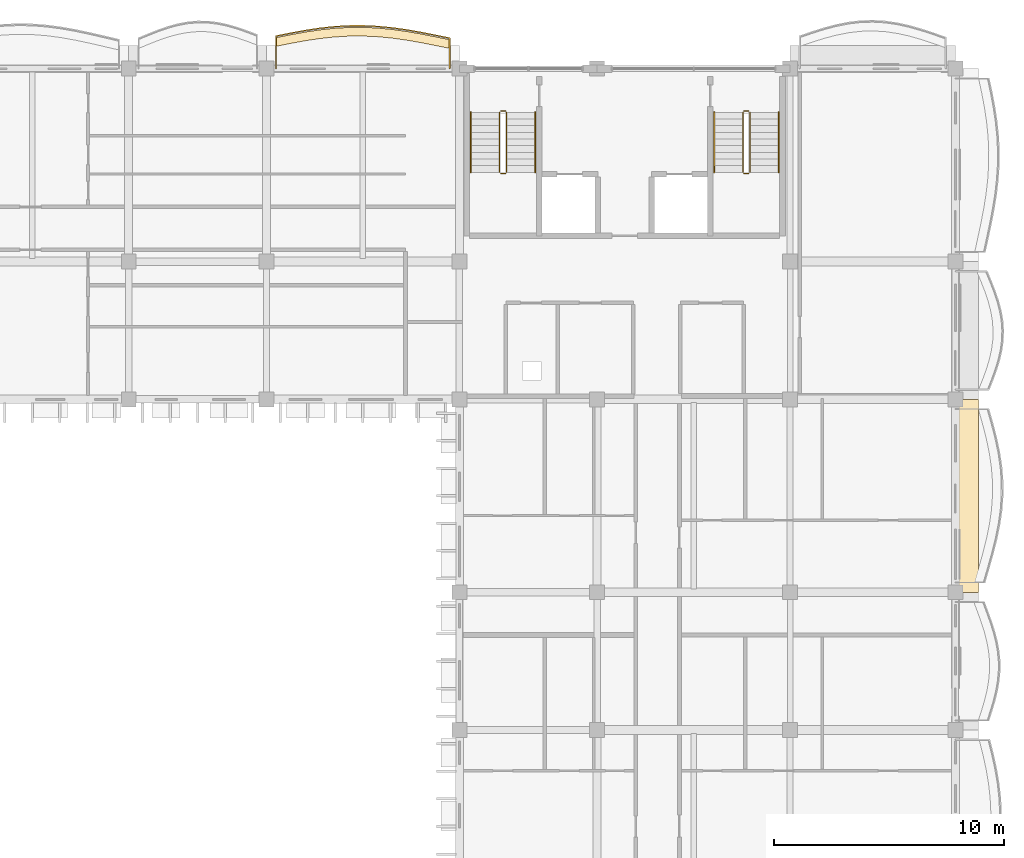
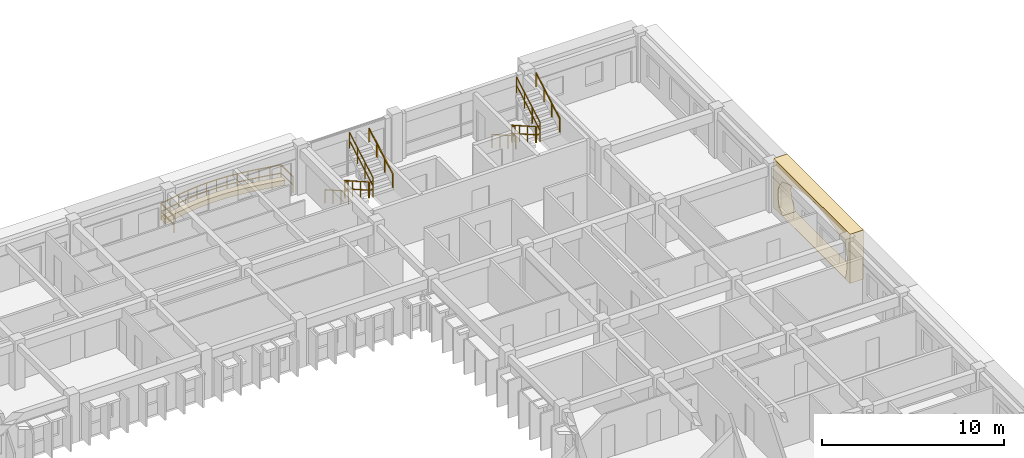
# One storey, part 68 of 70: 13 railings, 2 coverings.
"""IFC4 building model written with IfcOpenShell, lengths in metres."""

import ifcopenshell
import ifcopenshell.guid

model = None  # the IFC model being written
_history = None  # IfcOwnerHistory: only IFC2X3 demands one
_inside = {}  # id of a spatial element -> (the spatial element, [elements in it])
_under = {}  # id of a project, library or spatial element -> (it, [spatial elements below it])
_declared = {}  # id of a project -> (the project, [libraries it declares])
_typed = {}  # id of a type object -> (the type object, [elements of that type])
_made_of = {}  # id of a material, layer set ... -> (it, [elements and type objects made of it])


def new_model(schema):
    """Start an empty IFC model of exactly this schema.

    Asked for "IFC4X3", IfcOpenShell would pick the latest addendum, in which some entities
    have other attributes; the version numbers below select the first issue.
    IFC2X3 requires an IfcOwnerHistory on every rooted entity: one is made here for all.
    """
    global model, _history
    if schema == "IFC4X3":
        model = ifcopenshell.file(schema_version=(4, 3, 0, 0))
    else:
        model = ifcopenshell.file(schema=schema)
    _inside.clear()
    _under.clear()
    _declared.clear()
    _typed.clear()
    _made_of.clear()
    _history = None
    if model.schema == "IFC2X3":
        org = make("IfcOrganization", Name="unknown")
        user = make(
            "IfcPersonAndOrganization",
            ThePerson=make("IfcPerson", FamilyName="unknown"),
            TheOrganization=org,
        )
        app = make(
            "IfcApplication",
            ApplicationDeveloper=org,
            Version="unknown",
            ApplicationFullName="unknown",
            ApplicationIdentifier="unknown",
        )
        _history = make(
            "IfcOwnerHistory",
            OwningUser=user,
            OwningApplication=app,
            ChangeAction="ADDED",
            CreationDate=0,
        )
    return model


def make(cls, **values):
    """One entity of the class cls with the attributes given. An attribute that is None is left unset."""
    return model.create_entity(
        cls, **{name: value for name, value in values.items() if value is not None}
    )


def rooted(cls, **values):
    """An entity with a GlobalId (a new one), such as an element, a storey or a relation."""
    return make(cls, GlobalId=ifcopenshell.guid.new(), OwnerHistory=_history, **values)


def si_unit(unit_type, name, prefix=None):
    """IfcSIUnit, for example si_unit("LENGTHUNIT", "METRE", prefix="MILLI")."""
    return make("IfcSIUnit", UnitType=unit_type, Prefix=prefix, Name=name)


def assignment(units):
    """IfcUnitAssignment: the units of a project."""
    return None if units is None else make("IfcUnitAssignment", Units=units)


def point(xyz):
    """IfcCartesianPoint."""
    return None if xyz is None else make("IfcCartesianPoint", Coordinates=xyz)


def direction(xyz):
    """IfcDirection."""
    return None if xyz is None else make("IfcDirection", DirectionRatios=xyz)


def frame(location, z_axis=None, x_axis=None):
    """IfcAxis2Placement3D, a coordinate frame: its origin and axes. An axis left out is left unset."""
    return make(
        "IfcAxis2Placement3D",
        Location=point(location),
        Axis=direction(z_axis),
        RefDirection=direction(x_axis),
    )


def frame_2d(location, x_axis=None):
    """IfcAxis2Placement2D, a coordinate frame in the plane: its origin and x axis."""
    return make(
        "IfcAxis2Placement2D", Location=point(location), RefDirection=direction(x_axis)
    )


def origin():
    """The frame at (0, 0, 0) with its axes left unset."""
    return frame((0.0, 0.0, 0.0))


def origin_2d():
    """The frame at (0, 0) in the plane with its x axis left unset."""
    return frame_2d((0.0, 0.0))


def place(relative_to, where):
    """IfcLocalPlacement: puts the frame where relative to a parent placement (None: the world)."""
    return make(
        "IfcLocalPlacement", PlacementRelTo=relative_to, RelativePlacement=where
    )


def context(
    kind, dimensions, precision=None, world=None, true_north=None, identifier=None
):
    """IfcGeometricRepresentationContext, for example the 3D "Model" context."""
    return make(
        "IfcGeometricRepresentationContext",
        ContextIdentifier=identifier,
        ContextType=kind,
        CoordinateSpaceDimension=dimensions,
        Precision=precision,
        WorldCoordinateSystem=world,
        TrueNorth=true_north,
    )


def subcontext(parent, identifier, kind, view, scale=None):
    """IfcGeometricRepresentationSubContext, for example "Body" below "Model"."""
    return make(
        "IfcGeometricRepresentationSubContext",
        ContextIdentifier=identifier,
        ContextType=kind,
        ParentContext=parent,
        TargetScale=scale,
        TargetView=view,
    )


def project(units=None, contexts=None):
    """IfcProject with its units and contexts."""
    return rooted(
        "IfcProject",
        Name="project",
        RepresentationContexts=contexts,
        UnitsInContext=assignment(units),
    )


def spatial(cls, under=None, at=None, **own):
    """A site, building, storey or space (cls), placed at a placement, below another one or the project."""
    s = rooted(cls, ObjectPlacement=at, **own)
    if under is not None:
        _under.setdefault(under.id(), (under, []))[1].append(s)
    return s


def polyline(points):
    """IfcPolyline through the points."""
    return make("IfcPolyline", Points=[point(p) for p in points])


def profile(cls, at=None, kind="AREA", **sizes):
    """A parametric profile (cls). Its sizes go by their IFC names, for example OverallWidth=200.0."""
    return make(cls, ProfileType=kind, Position=at, **sizes)


def rectangle(**sizes):
    """IfcRectangleProfileDef."""
    return profile("IfcRectangleProfileDef", **sizes)


def outline(outer, holes=None, kind="AREA"):
    """IfcArbitraryClosedProfileDef: a profile drawn as a closed curve; with holes, ...WithVoids."""
    if holes is None:
        return make("IfcArbitraryClosedProfileDef", ProfileType=kind, OuterCurve=outer)
    return make(
        "IfcArbitraryProfileDefWithVoids",
        ProfileType=kind,
        OuterCurve=outer,
        InnerCurves=holes,
    )


def extrude(swept, where, along, depth):
    """IfcExtrudedAreaSolid: the profile swept, set in the frame where, extruded along a direction by depth."""
    return make(
        "IfcExtrudedAreaSolid",
        SweptArea=swept,
        Position=where,
        ExtrudedDirection=direction(along),
        Depth=depth,
    )


def shape(context_of_items, identifier, shape_type, items):
    """IfcShapeRepresentation: the items that make up one representation, for example the "Body"."""
    return make(
        "IfcShapeRepresentation",
        ContextOfItems=context_of_items,
        RepresentationIdentifier=identifier,
        RepresentationType=shape_type,
        Items=items,
    )


def material(Name=None, Category=None):
    """IfcMaterial."""
    return make("IfcMaterial", Name=Name, Category=Category)


def layer(
    of_material, thickness, ventilated=None, Name=None, Category=None, Priority=None
):
    """IfcMaterialLayer: one layer of a wall or slab, of a material (None: an air gap)."""
    return make(
        "IfcMaterialLayer",
        Material=of_material,
        LayerThickness=thickness,
        IsVentilated=ventilated,
        Name=Name,
        Category=Category,
        Priority=Priority,
    )


def layer_set(layers, Name=None):
    """IfcMaterialLayerSet."""
    return make("IfcMaterialLayerSet", MaterialLayers=layers, LayerSetName=Name)


def made_of(thing, what):
    """Note that an element or type object is made of a material, layer set ...; save() writes the relation."""
    if what is not None:
        _made_of.setdefault(what.id(), (what, []))[1].append(thing)
    return thing


def type_object(cls, material=None, **own):
    """A type object (cls), such as IfcWallType, which elements share."""
    return made_of(rooted(cls, **own), material)


def element(
    cls,
    number,
    at=None,
    inside=None,
    cuts=None,
    type_object=None,
    material=None,
    context=None,
    identifier="Body",
    shape_type=None,
    held_by="IfcProductDefinitionShape",
    body=None,
    shapes=None,
    **own,
):
    """One element of the class cls, such as IfcWall. Its Tag is "e" and its number.

    at: its placement. inside: the storey or other place that contains it. cuts: it is an
    opening in that element (IfcRelVoidsElement). A single representation is given by context,
    identifier, shape_type and body (its items); several are given by shapes. held_by: the class
    of the entity that holds the representations. save() writes the other relations.
    """
    e = rooted(cls, Tag="e%d" % number, ObjectPlacement=at, **own)
    if body is not None:
        shapes = [shape(context, identifier, shape_type, body)]
    if shapes is not None:
        e.Representation = make(held_by, Representations=shapes)
    if inside is not None:
        _inside.setdefault(inside.id(), (inside, []))[1].append(e)
    if cuts is not None:
        rooted(
            "IfcRelVoidsElement", RelatingBuildingElement=cuts, RelatedOpeningElement=e
        )
    if type_object is not None:
        _typed.setdefault(type_object.id(), (type_object, []))[1].append(e)
    return made_of(e, material)


def aggregate(whole, parts):
    """IfcRelAggregates: a whole, such as a stair, and the parts it consists of."""
    return rooted("IfcRelAggregates", RelatingObject=whole, RelatedObjects=parts)


def save(model, path):
    """Write the relations noted so far, then the file.

    IfcRelAggregates (storeys below a building ...), IfcRelContainedInSpatialStructure (elements
    in a storey), IfcRelDefinesByType, IfcRelAssociatesMaterial and IfcRelDeclares: one each for
    every whole, place, type object, material and project.
    """
    for whole, parts in _under.values():
        aggregate(whole, parts)
    for where, things in _inside.values():
        rooted(
            "IfcRelContainedInSpatialStructure",
            RelatedElements=things,
            RelatingStructure=where,
        )
    for kind, things in _typed.values():
        rooted("IfcRelDefinesByType", RelatedObjects=things, RelatingType=kind)
    for what, things in _made_of.values():
        rooted("IfcRelAssociatesMaterial", RelatedObjects=things, RelatingMaterial=what)
    for by, libraries in _declared.values():
        rooted("IfcRelDeclares", RelatingContext=by, RelatedDefinitions=libraries)
    model.write(path)


model = new_model("IFC4")

# Units and contexts
model_context = context("Model", 3, precision=1e-05, world=origin(), true_north=direction((0.0, 1.0)))
body_context = subcontext(model_context, "Body", "Model", "MODEL_VIEW")
ifc_project = project(units=[si_unit("LENGTHUNIT", "METRE"), si_unit("AREAUNIT", "SQUARE_METRE"), si_unit("VOLUMEUNIT", "CUBIC_METRE"), si_unit("PLANEANGLEUNIT", "RADIAN"), si_unit("MASSUNIT", "GRAM", prefix="KILO"), si_unit("THERMODYNAMICTEMPERATUREUNIT", "KELVIN")], contexts=[model_context])

# Site, building, storey
site_placement = place(None, origin())
site = spatial("IfcSite", under=ifc_project, at=site_placement, CompositionType="ELEMENT")
building_placement = place(site_placement, origin())
building = spatial("IfcBuilding", under=site, at=building_placement, Name="Thalorik Housing Commons", CompositionType="ELEMENT")
storey_placement = place(building_placement, frame((0.0, 0.0, 14.699951171875)))
storey = spatial("IfcBuildingStorey", under=building, at=storey_placement, Name="L04", CompositionType="ELEMENT", Elevation=14.699951171875)

# Coverings
ifc_material_1 = material(Name="Precast concrete C40/50", Category="concrete")
ifc_layer_1 = layer(ifc_material_1, 0.85009765625, Name="Precast concrete C40/50", Category="concrete")
ifc_layer_set_1 = layer_set([ifc_layer_1], Name="Precast concrete C40/50")
covering_type_1 = type_object("IfcCoveringType", Name="ARC-CLD-CUSH-850", PredefinedType="CLADDING", material=ifc_layer_set_1)
covering_1_placement = place(storey_placement, frame((174.577392578125, 105.0, 0.0), z_axis=(0.0, 0.0, 1.0), x_axis=(0.0, 1.0, 0.0)))
element("IfcCovering", 1, at=covering_1_placement, inside=storey, type_object=covering_type_1, Name="L04 White Precast Curved Cushion Bay Frame 2200", PredefinedType="CLADDING", context=body_context, shape_type="SweptSolid", body=[
    extrude(outline(polyline([(-4.199951171875, 0.0), (4.199951171875, 0.0), (4.199951171875, 3.300048828125), (-4.199951171875, 3.300048828125), (-4.199951171875, 0.0)]), holes=[polyline([(3.239990234375, 0.02490234375), (3.523193359375, 0.404296875), (3.693359375, 0.783203125), (3.75, 1.16259765625), (3.693359375, 1.541748046875), (3.523193359375, 1.9208984375), (3.239990234375, 2.300048828125), (2.663330078125, 2.525390625), (2.0869140625, 2.7021484375), (1.51025390625, 2.845458984375), (0.93359375, 2.951904296875), (0.357177734375, 3.017822265625), (-0.219482421875, 3.0400390625), (-0.796142578125, 3.017822265625), (-1.372802734375, 2.951904296875), (-1.94921875, 2.845458984375), (-2.52587890625, 2.7021484375), (-3.102294921875, 2.525390625), (-3.678955078125, 2.300048828125), (-3.7890625, 1.9208984375), (-3.85498046875, 1.541748046875), (-3.876953125, 1.16259765625), (-3.85498046875, 0.783203125), (-3.7890625, 0.404296875), (-3.678955078125, 0.02490234375), (3.239990234375, 0.02490234375)])]), frame((0.0, 0.425048828125, 0.0), z_axis=(0.0, -1.0, 0.0), x_axis=(1.0, 0.0, 0.0)), (0.0, 0.0, 1.0), 0.85009765625),
])
ifc_material_2 = material(Name="Planted vegetated substrate and terracotta trough", Category="masonry")
ifc_layer_2 = layer(ifc_material_2, 0.340087890625, Name="Planted vegetated substrate and terracotta trough", Category="masonry")
ifc_layer_set_2 = layer_set([ifc_layer_2], Name="Planted vegetated substrate and terracotta trough")
covering_type_2 = type_object("IfcCoveringType", Name="ARC-COV-PLANTER", PredefinedType="USERDEFINED", material=ifc_layer_set_2)
covering_2_placement = place(storey_placement, origin())
element("IfcCovering", 2, at=covering_2_placement, inside=storey, type_object=covering_type_2, Name="L04 Balcony Slab-Edge Planted Trough 5460", ObjectType="PLANTER", PredefinedType="USERDEFINED", context=body_context, shape_type="SweptSolid", body=[
    extrude(outline(polyline([(151.97998046875, 124.8623046875), (151.35009765625, 124.9912109375), (150.719970703125, 125.114501953125), (150.090087890625, 125.2236328125), (149.4599609375, 125.3115234375), (148.830078125, 125.3720703125), (148.199951171875, 125.401123046875), (147.570068359375, 125.396728515625), (146.93994140625, 125.359130859375), (146.31005859375, 125.29052734375), (145.679931640625, 125.19580078125), (145.050048828125, 125.08056640625), (144.419921875, 124.952880859375), (144.419921875, 124.572998046875), (145.050048828125, 124.70068359375), (145.679931640625, 124.815673828125), (146.31005859375, 124.91064453125), (146.93994140625, 124.97900390625), (147.570068359375, 125.0166015625), (148.199951171875, 125.02099609375), (148.830078125, 124.991943359375), (149.4599609375, 124.931396484375), (150.090087890625, 124.84375), (150.719970703125, 124.734619140625), (151.35009765625, 124.611328125), (151.97998046875, 124.482177734375), (151.97998046875, 124.8623046875)])), origin(), (0.0, 0.0, 1.0), 0.340087890625),
])

# Railings
ifc_material_3 = material(Name="Steel S355", Category="steel")
railing_type_1 = type_object("IfcRailingType", Name="ARC-RL-BAL-112", PredefinedType="BALUSTRADE", material=ifc_material_3)
railing_1_placement = place(storey_placement, frame((151.97998046875, 123.60009765625, 0.0)))
element("IfcRailing", 3, at=railing_1_placement, inside=storey, type_object=railing_type_1, Name="L04 Cushion Balcony Guardrail 144", PredefinedType="BALUSTRADE", context=body_context, shape_type="SweptSolid", body=[
    extrude(rectangle(XDim=0.050048828125, YDim=0.050048828125, at=origin_2d()), frame((0.0, 0.0, 1.09521484375), z_axis=(0.0, 1.0, 0.0), x_axis=(-1.0, 0.0, 0.0)), (0.0, 0.0, 1.0), 1.33203125),
    extrude(rectangle(XDim=0.050048828125, YDim=0.050048828125, at=origin_2d()), frame((0.0, 0.0, 0.53515625), z_axis=(0.0, 1.0, 0.0), x_axis=(-1.0, 0.0, 0.0)), (0.0, 0.0, 1.0), 1.33203125),
    extrude(rectangle(XDim=0.050048828125, YDim=0.050048828125, at=origin_2d()), frame((0.0, 1.33203125, 1.09521484375), z_axis=(-0.979619945128, 0.200860058517, 0.0), x_axis=(-0.200860058517, -0.979619945128, 0.0)), (0.0, 0.0, 1.0), 0.64306640625),
    extrude(rectangle(XDim=0.050048828125, YDim=0.050048828125, at=origin_2d()), frame((0.0, 1.33203125, 0.53515625), z_axis=(-0.979619945128, 0.200860058517, 0.0), x_axis=(-0.200860058517, -0.979619945128, 0.0)), (0.0, 0.0, 1.0), 0.64306640625),
    extrude(rectangle(XDim=0.050048828125, YDim=0.050048828125, at=origin_2d()), frame((-0.6298828125, 1.461181640625, 1.09521484375), z_axis=(-0.98139109719, 0.192019567641, 0.0), x_axis=(-0.192019567641, -0.98139109719, 0.0)), (0.0, 0.0, 1.0), 0.64208984375),
    extrude(rectangle(XDim=0.050048828125, YDim=0.050048828125, at=origin_2d()), frame((-0.6298828125, 1.461181640625, 0.53515625), z_axis=(-0.98139109719, 0.192019567641, 0.0), x_axis=(-0.192019567641, -0.98139109719, 0.0)), (0.0, 0.0, 1.0), 0.64208984375),
    extrude(rectangle(XDim=0.050048828125, YDim=0.050048828125, at=origin_2d()), frame((-1.260009765625, 1.58447265625, 1.09521484375), z_axis=(-0.985320870893, 0.170712569492, 0.0), x_axis=(-0.170712569492, -0.985320870893, 0.0)), (0.0, 0.0, 1.0), 0.63916015625),
    extrude(rectangle(XDim=0.050048828125, YDim=0.050048828125, at=origin_2d()), frame((-1.260009765625, 1.58447265625, 0.53515625), z_axis=(-0.985320870893, 0.170712569492, 0.0), x_axis=(-0.170712569492, -0.985320870893, 0.0)), (0.0, 0.0, 1.0), 0.63916015625),
    extrude(rectangle(XDim=0.050048828125, YDim=0.050048828125, at=origin_2d()), frame((-1.889892578125, 1.693603515625, 1.09521484375), z_axis=(-0.990412222541, 0.138143510312, 0.0), x_axis=(-0.138143510312, -0.990412222541, 0.0)), (0.0, 0.0, 1.0), 0.63623046875),
    extrude(rectangle(XDim=0.050048828125, YDim=0.050048828125, at=origin_2d()), frame((-1.889892578125, 1.693603515625, 0.53515625), z_axis=(-0.990412222541, 0.138143510312, 0.0), x_axis=(-0.138143510312, -0.990412222541, 0.0)), (0.0, 0.0, 1.0), 0.63623046875),
    extrude(rectangle(XDim=0.050048828125, YDim=0.050048828125, at=origin_2d()), frame((-2.52001953125, 1.781494140625, 1.09521484375), z_axis=(-0.995448531051, 0.095300692701, 0.0), x_axis=(-0.095300692701, -0.995448531051, 0.0)), (0.0, 0.0, 1.0), 0.6328125),
    extrude(rectangle(XDim=0.050048828125, YDim=0.050048828125, at=origin_2d()), frame((-2.52001953125, 1.781494140625, 0.53515625), z_axis=(-0.995448531051, 0.095300692701, 0.0), x_axis=(-0.095300692701, -0.995448531051, 0.0)), (0.0, 0.0, 1.0), 0.6328125),
    extrude(rectangle(XDim=0.050048828125, YDim=0.050048828125, at=origin_2d()), frame((-3.14990234375, 1.841796875, 1.09521484375), z_axis=(-0.99892092138, 0.046443436872, 0.0), x_axis=(-0.046443436872, -0.99892092138, 0.0)), (0.0, 0.0, 1.0), 0.630859375),
    extrude(rectangle(XDim=0.050048828125, YDim=0.050048828125, at=origin_2d()), frame((-3.14990234375, 1.841796875, 0.53515625), z_axis=(-0.99892092138, 0.046443436872, 0.0), x_axis=(-0.046443436872, -0.99892092138, 0.0)), (0.0, 0.0, 1.0), 0.630859375),
    extrude(rectangle(XDim=0.050048828125, YDim=0.050048828125, at=origin_2d()), frame((-3.780029296875, 1.87109375, 1.09521484375), z_axis=(-0.999975663409, -0.006976574396, 0.0), x_axis=(0.006976574396, -0.999975663409, 0.0)), (0.0, 0.0, 1.0), 0.6298828125),
    extrude(rectangle(XDim=0.050048828125, YDim=0.050048828125, at=origin_2d()), frame((-3.780029296875, 1.87109375, 0.53515625), z_axis=(-0.999975663409, -0.006976574396, 0.0), x_axis=(0.006976574396, -0.999975663409, 0.0)), (0.0, 0.0, 1.0), 0.6298828125),
    extrude(rectangle(XDim=0.050048828125, YDim=0.050048828125, at=origin_2d()), frame((-4.409912109375, 1.86669921875, 1.09521484375), z_axis=(-0.998224675619, -0.059560867898, 0.0), x_axis=(0.059560867898, -0.998224675619, 0.0)), (0.0, 0.0, 1.0), 0.63134765625),
    extrude(rectangle(XDim=0.050048828125, YDim=0.050048828125, at=origin_2d()), frame((-4.409912109375, 1.86669921875, 0.53515625), z_axis=(-0.998224675619, -0.059560867898, 0.0), x_axis=(0.059560867898, -0.998224675619, 0.0)), (0.0, 0.0, 1.0), 0.63134765625),
    extrude(rectangle(XDim=0.050048828125, YDim=0.050048828125, at=origin_2d()), frame((-5.0400390625, 1.8291015625, 1.09521484375), z_axis=(-0.994121043518, -0.108274423732, 0.0), x_axis=(0.108274423732, -0.994121043518, 0.0)), (0.0, 0.0, 1.0), 0.633544921875),
    extrude(rectangle(XDim=0.050048828125, YDim=0.050048828125, at=origin_2d()), frame((-5.0400390625, 1.8291015625, 0.53515625), z_axis=(-0.994121043518, -0.108274423732, 0.0), x_axis=(0.108274423732, -0.994121043518, 0.0)), (0.0, 0.0, 1.0), 0.633544921875),
    extrude(rectangle(XDim=0.050048828125, YDim=0.050048828125, at=origin_2d()), frame((-5.669921875, 1.760498046875, 1.09521484375), z_axis=(-0.988832133664, -0.149033591629, 0.0), x_axis=(0.149033591629, -0.988832133664, 0.0)), (0.0, 0.0, 1.0), 0.63720703125),
    extrude(rectangle(XDim=0.050048828125, YDim=0.050048828125, at=origin_2d()), frame((-5.669921875, 1.760498046875, 0.53515625), z_axis=(-0.988832133664, -0.149033591629, 0.0), x_axis=(0.149033591629, -0.988832133664, 0.0)), (0.0, 0.0, 1.0), 0.63720703125),
    extrude(rectangle(XDim=0.050048828125, YDim=0.050048828125, at=origin_2d()), frame((-6.300048828125, 1.66552734375, 1.09521484375), z_axis=(-0.983741542598, -0.1795900258, 0.0), x_axis=(0.1795900258, -0.983741542598, 0.0)), (0.0, 0.0, 1.0), 0.640380859375),
    extrude(rectangle(XDim=0.050048828125, YDim=0.050048828125, at=origin_2d()), frame((-6.300048828125, 1.66552734375, 0.53515625), z_axis=(-0.983741542598, -0.1795900258, 0.0), x_axis=(0.1795900258, -0.983741542598, 0.0)), (0.0, 0.0, 1.0), 0.640380859375),
    extrude(rectangle(XDim=0.050048828125, YDim=0.050048828125, at=origin_2d()), frame((-6.929931640625, 1.550537109375, 1.09521484375), z_axis=(-0.980080963484, -0.198598350989, 0.0), x_axis=(0.198598350989, -0.980080963484, 0.0)), (0.0, 0.0, 1.0), 0.642822265625),
    extrude(rectangle(XDim=0.050048828125, YDim=0.050048828125, at=origin_2d()), frame((-6.929931640625, 1.550537109375, 0.53515625), z_axis=(-0.980080963484, -0.198598350989, 0.0), x_axis=(0.198598350989, -0.980080963484, 0.0)), (0.0, 0.0, 1.0), 0.642822265625),
    extrude(rectangle(XDim=0.050048828125, YDim=0.050048828125, at=origin_2d()), frame((-7.56005859375, 1.4228515625, 1.09521484375), z_axis=(0.0, -1.0, 0.0), x_axis=(1.0, 0.0, 0.0)), (0.0, 0.0, 1.0), 1.4228515625),
    extrude(rectangle(XDim=0.050048828125, YDim=0.050048828125, at=origin_2d()), frame((-7.56005859375, 1.4228515625, 0.53515625), z_axis=(0.0, -1.0, 0.0), x_axis=(1.0, 0.0, 0.0)), (0.0, 0.0, 1.0), 1.4228515625),
    extrude(rectangle(XDim=0.0419921875, YDim=0.0419921875, at=origin_2d()), origin(), (0.0, 0.0, 1.0), 1.070068359375),
    extrude(rectangle(XDim=0.0419921875, YDim=0.0419921875, at=origin_2d()), frame((0.0, 1.33203125, 0.0)), (0.0, 0.0, 1.0), 1.070068359375),
    extrude(rectangle(XDim=0.0419921875, YDim=0.0419921875, at=origin_2d()), frame((-0.6298828125, 1.461181640625, 0.0)), (0.0, 0.0, 1.0), 1.070068359375),
    extrude(rectangle(XDim=0.0419921875, YDim=0.0419921875, at=origin_2d()), frame((-1.260009765625, 1.58447265625, 0.0)), (0.0, 0.0, 1.0), 1.070068359375),
    extrude(rectangle(XDim=0.0419921875, YDim=0.0419921875, at=origin_2d()), frame((-1.889892578125, 1.693603515625, 0.0)), (0.0, 0.0, 1.0), 1.070068359375),
    extrude(rectangle(XDim=0.0419921875, YDim=0.0419921875, at=origin_2d()), frame((-2.52001953125, 1.781494140625, 0.0)), (0.0, 0.0, 1.0), 1.070068359375),
    extrude(rectangle(XDim=0.0419921875, YDim=0.0419921875, at=origin_2d()), frame((-3.14990234375, 1.841796875, 0.0)), (0.0, 0.0, 1.0), 1.070068359375),
    extrude(rectangle(XDim=0.0419921875, YDim=0.0419921875, at=origin_2d()), frame((-3.780029296875, 1.87109375, 0.0)), (0.0, 0.0, 1.0), 1.070068359375),
    extrude(rectangle(XDim=0.0419921875, YDim=0.0419921875, at=origin_2d()), frame((-4.409912109375, 1.86669921875, 0.0)), (0.0, 0.0, 1.0), 1.070068359375),
    extrude(rectangle(XDim=0.0419921875, YDim=0.0419921875, at=origin_2d()), frame((-5.0400390625, 1.8291015625, 0.0)), (0.0, 0.0, 1.0), 1.070068359375),
    extrude(rectangle(XDim=0.0419921875, YDim=0.0419921875, at=origin_2d()), frame((-5.669921875, 1.760498046875, 0.0)), (0.0, 0.0, 1.0), 1.070068359375),
    extrude(rectangle(XDim=0.0419921875, YDim=0.0419921875, at=origin_2d()), frame((-6.300048828125, 1.66552734375, 0.0)), (0.0, 0.0, 1.0), 1.070068359375),
    extrude(rectangle(XDim=0.0419921875, YDim=0.0419921875, at=origin_2d()), frame((-6.929931640625, 1.550537109375, 0.0)), (0.0, 0.0, 1.0), 1.070068359375),
    extrude(rectangle(XDim=0.0419921875, YDim=0.0419921875, at=origin_2d()), frame((-7.56005859375, 1.4228515625, 0.0)), (0.0, 0.0, 1.0), 1.070068359375),
    extrude(rectangle(XDim=0.0419921875, YDim=0.0419921875, at=origin_2d()), frame((-7.56005859375, 0.0, 0.0)), (0.0, 0.0, 1.0), 1.070068359375),
])
railing_type_2 = type_object("IfcRailingType", Name="ARC-RL-STR-GRD110", PredefinedType="GUARDRAIL", material=ifc_material_3)
railing_2_placement = place(storey_placement, frame((154.14990234375, 121.699951171875, 0.1650390625)))
element("IfcRailing", 4, at=railing_2_placement, inside=storey, type_object=railing_type_2, Name="L04 ST-B1 stair guard 1", PredefinedType="GUARDRAIL", context=body_context, shape_type="SweptSolid", body=[
    extrude(rectangle(XDim=0.048095703125, YDim=0.048095703125, at=origin_2d()), frame((0.0, 0.0, 1.076171875), z_axis=(0.0, -0.869137319866, 0.494570843475), x_axis=(1.0, 0.0, 0.0)), (0.0, 0.0, 1.0), 3.0029296875),
    extrude(rectangle(XDim=0.048095703125, YDim=0.048095703125, at=origin_2d()), frame((0.0, 0.0, 0.52587890625), z_axis=(0.0, -0.869137319866, 0.494570843475), x_axis=(1.0, 0.0, 0.0)), (0.0, 0.0, 1.0), 3.0029296875),
    extrude(rectangle(XDim=0.0419921875, YDim=0.0419921875, at=origin_2d()), origin(), (0.0, 0.0, 1.0), 1.052001953125),
    extrude(rectangle(XDim=0.0419921875, YDim=0.0419921875, at=origin_2d()), frame((0.0, -0.869873046875, 0.4951171875)), (0.0, 0.0, 1.0), 1.052001953125),
    extrude(rectangle(XDim=0.0419921875, YDim=0.0419921875, at=origin_2d()), frame((0.0, -1.739990234375, 0.989990234375)), (0.0, 0.0, 1.0), 1.052001953125),
    extrude(rectangle(XDim=0.0419921875, YDim=0.0419921875, at=origin_2d()), frame((0.0, -2.60986328125, 1.485107421875)), (0.0, 0.0, 1.0), 1.052001953125),
])
railing_3_placement = place(storey_placement, frame((154.199951171875, 119.0400390625, 1.650146484375)))
element("IfcRailing", 5, at=railing_3_placement, inside=storey, type_object=railing_type_2, Name="L04 ST-B1 stair guard 2", PredefinedType="GUARDRAIL", context=body_context, shape_type="SweptSolid", body=[
    extrude(rectangle(XDim=0.048095703125, YDim=0.048095703125, at=origin_2d()), frame((0.0, 0.0, 1.076171875), z_axis=(1.0, 0.0, 0.0), x_axis=(0.0, 1.0, 0.0)), (0.0, 0.0, 1.0), 0.199951171875),
    extrude(rectangle(XDim=0.048095703125, YDim=0.048095703125, at=origin_2d()), frame((0.0, 0.0, 0.52587890625), z_axis=(1.0, 0.0, 0.0), x_axis=(0.0, 1.0, 0.0)), (0.0, 0.0, 1.0), 0.199951171875),
    extrude(rectangle(XDim=0.0419921875, YDim=0.0419921875, at=origin_2d()), origin(), (0.0, 0.0, 1.0), 1.052001953125),
    extrude(rectangle(XDim=0.0419921875, YDim=0.0419921875, at=origin_2d()), frame((0.199951171875, 0.0, 0.0)), (0.0, 0.0, 1.0), 1.052001953125),
])
railing_4_placement = place(storey_placement, frame((154.449951171875, 119.090087890625, 1.81494140625)))
element("IfcRailing", 6, at=railing_4_placement, inside=storey, type_object=railing_type_2, Name="L04 ST-B1 stair guard 3", PredefinedType="GUARDRAIL", context=body_context, shape_type="SweptSolid", body=[
    extrude(rectangle(XDim=0.048095703125, YDim=0.048095703125, at=origin_2d()), frame((0.0, 0.0, 1.076171875), z_axis=(0.0, 0.869137319866, 0.494570843475), x_axis=(-1.0, 0.0, 0.0)), (0.0, 0.0, 1.0), 3.0029296875),
    extrude(rectangle(XDim=0.048095703125, YDim=0.048095703125, at=origin_2d()), frame((0.0, 0.0, 0.52587890625), z_axis=(0.0, 0.869137319866, 0.494570843475), x_axis=(-1.0, 0.0, 0.0)), (0.0, 0.0, 1.0), 3.0029296875),
    extrude(rectangle(XDim=0.0419921875, YDim=0.0419921875, at=origin_2d()), origin(), (0.0, 0.0, 1.0), 1.052001953125),
    extrude(rectangle(XDim=0.0419921875, YDim=0.0419921875, at=origin_2d()), frame((0.0, 0.869873046875, 0.4951171875)), (0.0, 0.0, 1.0), 1.052001953125),
    extrude(rectangle(XDim=0.0419921875, YDim=0.0419921875, at=origin_2d()), frame((0.0, 1.739990234375, 0.989990234375)), (0.0, 0.0, 1.0), 1.052001953125),
    extrude(rectangle(XDim=0.0419921875, YDim=0.0419921875, at=origin_2d()), frame((0.0, 2.60986328125, 1.485107421875)), (0.0, 0.0, 1.0), 1.052001953125),
])
railing_5_placement = place(storey_placement, frame((154.199951171875, 121.75, 0.0)))
element("IfcRailing", 7, at=railing_5_placement, inside=storey, type_object=railing_type_2, Name="L04 ST-B1 stair guard 4", PredefinedType="GUARDRAIL", context=body_context, shape_type="SweptSolid", body=[
    extrude(rectangle(XDim=0.048095703125, YDim=0.048095703125, at=origin_2d()), frame((0.0, 0.0, 1.076171875), z_axis=(1.0, 0.0, 0.0), x_axis=(0.0, 1.0, 0.0)), (0.0, 0.0, 1.0), 0.199951171875),
    extrude(rectangle(XDim=0.048095703125, YDim=0.048095703125, at=origin_2d()), frame((0.0, 0.0, 0.52587890625), z_axis=(1.0, 0.0, 0.0), x_axis=(0.0, 1.0, 0.0)), (0.0, 0.0, 1.0), 0.199951171875),
    extrude(rectangle(XDim=0.0419921875, YDim=0.0419921875, at=origin_2d()), origin(), (0.0, 0.0, 1.0), 1.052001953125),
    extrude(rectangle(XDim=0.0419921875, YDim=0.0419921875, at=origin_2d()), frame((0.199951171875, 0.0, 0.0)), (0.0, 0.0, 1.0), 1.052001953125),
])
railing_6_placement = place(storey_placement, frame((164.75, 121.699951171875, 0.1650390625)))
element("IfcRailing", 8, at=railing_6_placement, inside=storey, type_object=railing_type_2, Name="L04 ST-B2 stair guard 1", PredefinedType="GUARDRAIL", context=body_context, shape_type="SweptSolid", body=[
    extrude(rectangle(XDim=0.048095703125, YDim=0.048095703125, at=origin_2d()), frame((0.0, 0.0, 1.076171875), z_axis=(0.0, -0.869137319866, 0.494570843475), x_axis=(1.0, 0.0, 0.0)), (0.0, 0.0, 1.0), 3.0029296875),
    extrude(rectangle(XDim=0.048095703125, YDim=0.048095703125, at=origin_2d()), frame((0.0, 0.0, 0.52587890625), z_axis=(0.0, -0.869137319866, 0.494570843475), x_axis=(1.0, 0.0, 0.0)), (0.0, 0.0, 1.0), 3.0029296875),
    extrude(rectangle(XDim=0.0419921875, YDim=0.0419921875, at=origin_2d()), origin(), (0.0, 0.0, 1.0), 1.052001953125),
    extrude(rectangle(XDim=0.0419921875, YDim=0.0419921875, at=origin_2d()), frame((0.0, -0.869873046875, 0.4951171875)), (0.0, 0.0, 1.0), 1.052001953125),
    extrude(rectangle(XDim=0.0419921875, YDim=0.0419921875, at=origin_2d()), frame((0.0, -1.739990234375, 0.989990234375)), (0.0, 0.0, 1.0), 1.052001953125),
    extrude(rectangle(XDim=0.0419921875, YDim=0.0419921875, at=origin_2d()), frame((0.0, -2.60986328125, 1.485107421875)), (0.0, 0.0, 1.0), 1.052001953125),
])
railing_7_placement = place(storey_placement, frame((164.800048828125, 119.0400390625, 1.650146484375)))
element("IfcRailing", 9, at=railing_7_placement, inside=storey, type_object=railing_type_2, Name="L04 ST-B2 stair guard 2", PredefinedType="GUARDRAIL", context=body_context, shape_type="SweptSolid", body=[
    extrude(rectangle(XDim=0.048095703125, YDim=0.048095703125, at=origin_2d()), frame((0.0, 0.0, 1.076171875), z_axis=(1.0, 0.0, 0.0), x_axis=(0.0, 1.0, 0.0)), (0.0, 0.0, 1.0), 0.199951171875),
    extrude(rectangle(XDim=0.048095703125, YDim=0.048095703125, at=origin_2d()), frame((0.0, 0.0, 0.52587890625), z_axis=(1.0, 0.0, 0.0), x_axis=(0.0, 1.0, 0.0)), (0.0, 0.0, 1.0), 0.199951171875),
    extrude(rectangle(XDim=0.0419921875, YDim=0.0419921875, at=origin_2d()), origin(), (0.0, 0.0, 1.0), 1.052001953125),
    extrude(rectangle(XDim=0.0419921875, YDim=0.0419921875, at=origin_2d()), frame((0.199951171875, 0.0, 0.0)), (0.0, 0.0, 1.0), 1.052001953125),
])
railing_8_placement = place(storey_placement, frame((165.050048828125, 119.090087890625, 1.81494140625)))
element("IfcRailing", 10, at=railing_8_placement, inside=storey, type_object=railing_type_2, Name="L04 ST-B2 stair guard 3", PredefinedType="GUARDRAIL", context=body_context, shape_type="SweptSolid", body=[
    extrude(rectangle(XDim=0.048095703125, YDim=0.048095703125, at=origin_2d()), frame((0.0, 0.0, 1.076171875), z_axis=(0.0, 0.869137319866, 0.494570843475), x_axis=(-1.0, 0.0, 0.0)), (0.0, 0.0, 1.0), 3.0029296875),
    extrude(rectangle(XDim=0.048095703125, YDim=0.048095703125, at=origin_2d()), frame((0.0, 0.0, 0.52587890625), z_axis=(0.0, 0.869137319866, 0.494570843475), x_axis=(-1.0, 0.0, 0.0)), (0.0, 0.0, 1.0), 3.0029296875),
    extrude(rectangle(XDim=0.0419921875, YDim=0.0419921875, at=origin_2d()), origin(), (0.0, 0.0, 1.0), 1.052001953125),
    extrude(rectangle(XDim=0.0419921875, YDim=0.0419921875, at=origin_2d()), frame((0.0, 0.869873046875, 0.4951171875)), (0.0, 0.0, 1.0), 1.052001953125),
    extrude(rectangle(XDim=0.0419921875, YDim=0.0419921875, at=origin_2d()), frame((0.0, 1.739990234375, 0.989990234375)), (0.0, 0.0, 1.0), 1.052001953125),
    extrude(rectangle(XDim=0.0419921875, YDim=0.0419921875, at=origin_2d()), frame((0.0, 2.60986328125, 1.485107421875)), (0.0, 0.0, 1.0), 1.052001953125),
])
railing_9_placement = place(storey_placement, frame((164.800048828125, 121.75, 0.0)))
element("IfcRailing", 11, at=railing_9_placement, inside=storey, type_object=railing_type_2, Name="L04 ST-B2 stair guard 4", PredefinedType="GUARDRAIL", context=body_context, shape_type="SweptSolid", body=[
    extrude(rectangle(XDim=0.048095703125, YDim=0.048095703125, at=origin_2d()), frame((0.0, 0.0, 1.076171875), z_axis=(1.0, 0.0, 0.0), x_axis=(0.0, 1.0, 0.0)), (0.0, 0.0, 1.0), 0.199951171875),
    extrude(rectangle(XDim=0.048095703125, YDim=0.048095703125, at=origin_2d()), frame((0.0, 0.0, 0.52587890625), z_axis=(1.0, 0.0, 0.0), x_axis=(0.0, 1.0, 0.0)), (0.0, 0.0, 1.0), 0.199951171875),
    extrude(rectangle(XDim=0.0419921875, YDim=0.0419921875, at=origin_2d()), origin(), (0.0, 0.0, 1.0), 1.052001953125),
    extrude(rectangle(XDim=0.0419921875, YDim=0.0419921875, at=origin_2d()), frame((0.199951171875, 0.0, 0.0)), (0.0, 0.0, 1.0), 1.052001953125),
])
railing_type_3 = type_object("IfcRailingType", Name="ARC-RL-STR-HR092", PredefinedType="HANDRAIL", material=ifc_material_3)
railing_10_placement = place(storey_placement, frame((152.89990234375, 121.699951171875, 0.1650390625)))
element("IfcRailing", 12, at=railing_10_placement, inside=storey, type_object=railing_type_3, Name="L04 ST-B1 stair handrail 1", PredefinedType="HANDRAIL", context=body_context, shape_type="SweptSolid", body=[
    extrude(rectangle(XDim=0.048095703125, YDim=0.048095703125, at=origin_2d()), frame((0.0, 0.0, 0.89599609375), z_axis=(0.0, -0.869137319866, 0.494570843475), x_axis=(1.0, 0.0, 0.0)), (0.0, 0.0, 1.0), 3.0029296875),
    extrude(rectangle(XDim=0.0419921875, YDim=0.0419921875, at=origin_2d()), origin(), (0.0, 0.0, 1.0), 0.871826171875),
    extrude(rectangle(XDim=0.0419921875, YDim=0.0419921875, at=origin_2d()), frame((0.0, -0.869873046875, 0.4951171875)), (0.0, 0.0, 1.0), 0.871826171875),
    extrude(rectangle(XDim=0.0419921875, YDim=0.0419921875, at=origin_2d()), frame((0.0, -1.739990234375, 0.989990234375)), (0.0, 0.0, 1.0), 0.871826171875),
    extrude(rectangle(XDim=0.0419921875, YDim=0.0419921875, at=origin_2d()), frame((0.0, -2.60986328125, 1.485107421875)), (0.0, 0.0, 1.0), 0.871826171875),
])
railing_11_placement = place(storey_placement, frame((155.699951171875, 119.090087890625, 1.81494140625)))
element("IfcRailing", 13, at=railing_11_placement, inside=storey, type_object=railing_type_3, Name="L04 ST-B1 stair handrail 2", PredefinedType="HANDRAIL", context=body_context, shape_type="SweptSolid", body=[
    extrude(rectangle(XDim=0.048095703125, YDim=0.048095703125, at=origin_2d()), frame((0.0, 0.0, 0.89599609375), z_axis=(0.0, 0.869137319866, 0.494570843475), x_axis=(-1.0, 0.0, 0.0)), (0.0, 0.0, 1.0), 3.0029296875),
    extrude(rectangle(XDim=0.0419921875, YDim=0.0419921875, at=origin_2d()), origin(), (0.0, 0.0, 1.0), 0.871826171875),
    extrude(rectangle(XDim=0.0419921875, YDim=0.0419921875, at=origin_2d()), frame((0.0, 0.869873046875, 0.4951171875)), (0.0, 0.0, 1.0), 0.871826171875),
    extrude(rectangle(XDim=0.0419921875, YDim=0.0419921875, at=origin_2d()), frame((0.0, 1.739990234375, 0.989990234375)), (0.0, 0.0, 1.0), 0.871826171875),
    extrude(rectangle(XDim=0.0419921875, YDim=0.0419921875, at=origin_2d()), frame((0.0, 2.60986328125, 1.485107421875)), (0.0, 0.0, 1.0), 0.871826171875),
])
railing_12_placement = place(storey_placement, frame((163.5, 121.699951171875, 0.1650390625)))
element("IfcRailing", 14, at=railing_12_placement, inside=storey, type_object=railing_type_3, Name="L04 ST-B2 stair handrail 1", PredefinedType="HANDRAIL", context=body_context, shape_type="SweptSolid", body=[
    extrude(rectangle(XDim=0.048095703125, YDim=0.048095703125, at=origin_2d()), frame((0.0, 0.0, 0.89599609375), z_axis=(0.0, -0.869137319866, 0.494570843475), x_axis=(1.0, 0.0, 0.0)), (0.0, 0.0, 1.0), 3.0029296875),
    extrude(rectangle(XDim=0.0419921875, YDim=0.0419921875, at=origin_2d()), origin(), (0.0, 0.0, 1.0), 0.871826171875),
    extrude(rectangle(XDim=0.0419921875, YDim=0.0419921875, at=origin_2d()), frame((0.0, -0.869873046875, 0.4951171875)), (0.0, 0.0, 1.0), 0.871826171875),
    extrude(rectangle(XDim=0.0419921875, YDim=0.0419921875, at=origin_2d()), frame((0.0, -1.739990234375, 0.989990234375)), (0.0, 0.0, 1.0), 0.871826171875),
    extrude(rectangle(XDim=0.0419921875, YDim=0.0419921875, at=origin_2d()), frame((0.0, -2.60986328125, 1.485107421875)), (0.0, 0.0, 1.0), 0.871826171875),
])
railing_13_placement = place(storey_placement, frame((166.300048828125, 119.090087890625, 1.81494140625)))
element("IfcRailing", 15, at=railing_13_placement, inside=storey, type_object=railing_type_3, Name="L04 ST-B2 stair handrail 2", PredefinedType="HANDRAIL", context=body_context, shape_type="SweptSolid", body=[
    extrude(rectangle(XDim=0.048095703125, YDim=0.048095703125, at=origin_2d()), frame((0.0, 0.0, 0.89599609375), z_axis=(0.0, 0.869137319866, 0.494570843475), x_axis=(-1.0, 0.0, 0.0)), (0.0, 0.0, 1.0), 3.0029296875),
    extrude(rectangle(XDim=0.0419921875, YDim=0.0419921875, at=origin_2d()), origin(), (0.0, 0.0, 1.0), 0.871826171875),
    extrude(rectangle(XDim=0.0419921875, YDim=0.0419921875, at=origin_2d()), frame((0.0, 0.869873046875, 0.4951171875)), (0.0, 0.0, 1.0), 0.871826171875),
    extrude(rectangle(XDim=0.0419921875, YDim=0.0419921875, at=origin_2d()), frame((0.0, 1.739990234375, 0.989990234375)), (0.0, 0.0, 1.0), 0.871826171875),
    extrude(rectangle(XDim=0.0419921875, YDim=0.0419921875, at=origin_2d()), frame((0.0, 2.60986328125, 1.485107421875)), (0.0, 0.0, 1.0), 0.871826171875),
])

save(model, "model.ifc")
